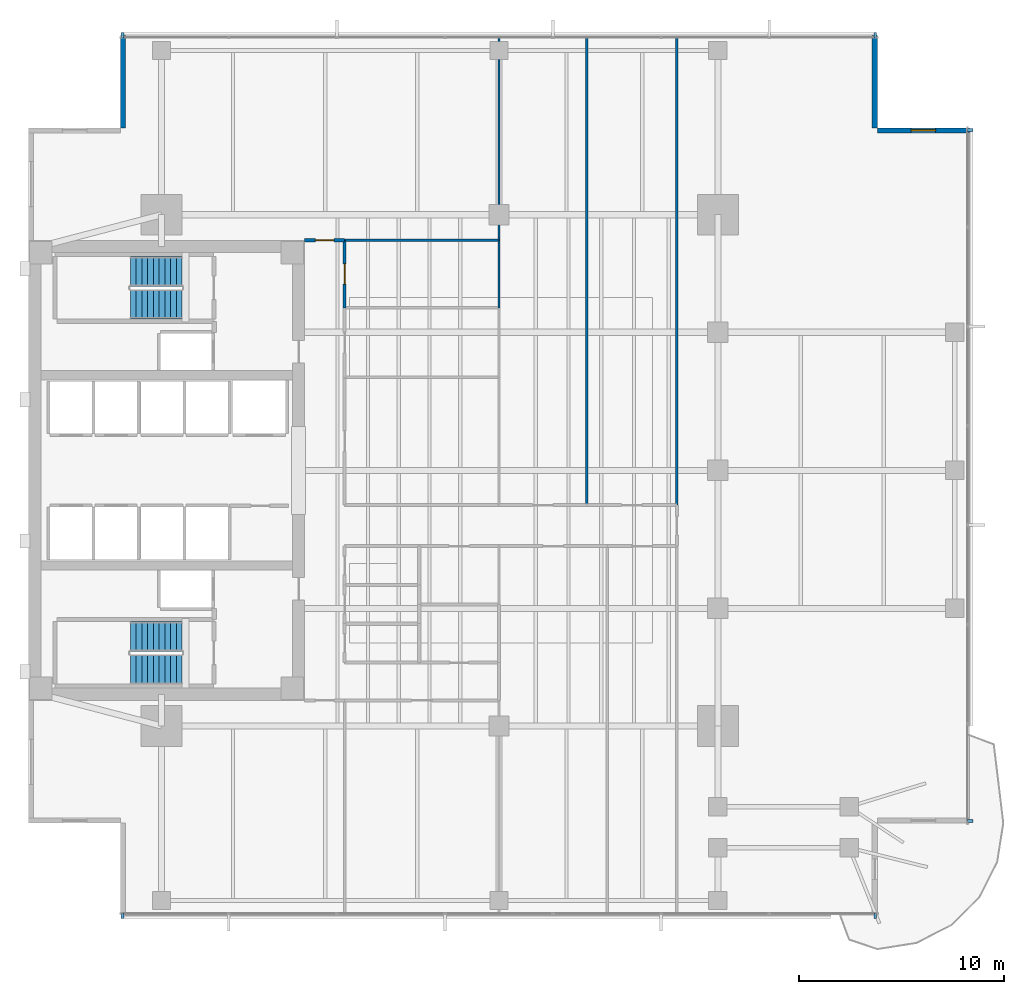
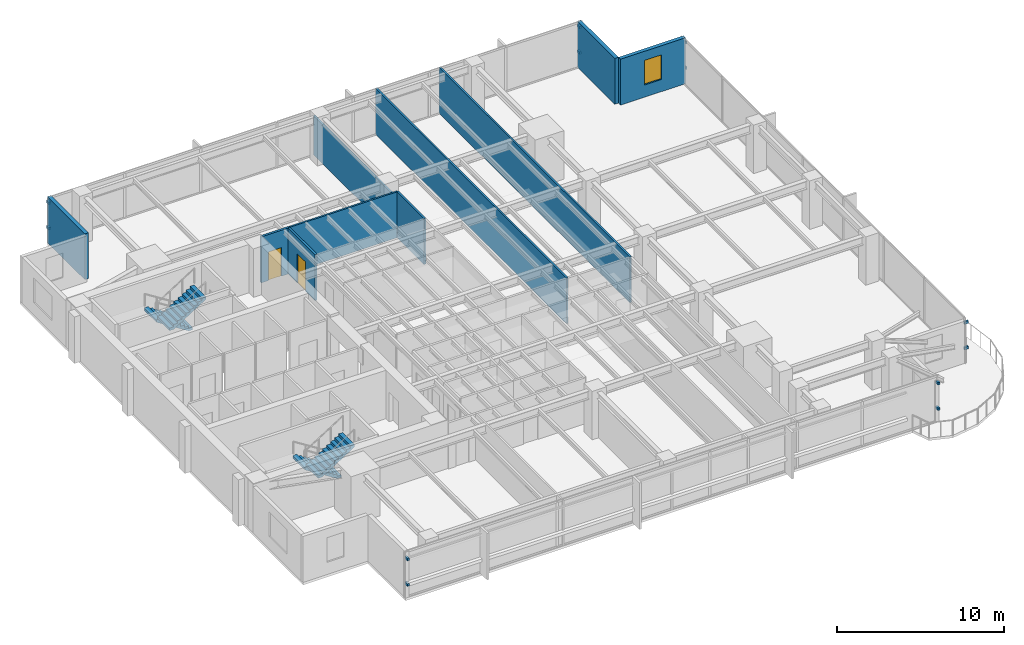
# One storey, part 10 of 14: 12 discrete accessories, 10 walls, 4 stair flights, 2 doors, 1 window, 3 openings, 2 elements without a shape of their own.
"""IFC4 building model written with IfcOpenShell, lengths in metres."""

from ifc_helpers import new_model, si_unit, direction, frame, frame_2d, origin, origin_2d, place, context, subcontext, project, spatial, polyline, rectangle, outline, extrude, material, layer, layer_set, type_object, element, fill, aggregate, save


model = new_model("IFC4")

# Units and contexts
model_context = context("Model", 3, precision=1e-05, world=origin(), true_north=direction((0.0, 1.0)))
body_context = subcontext(model_context, "Body", "Model", "MODEL_VIEW")
ifc_project = project(units=[si_unit("LENGTHUNIT", "METRE"), si_unit("AREAUNIT", "SQUARE_METRE"), si_unit("VOLUMEUNIT", "CUBIC_METRE"), si_unit("PLANEANGLEUNIT", "RADIAN"), si_unit("MASSUNIT", "GRAM", prefix="KILO")], contexts=[model_context])

# Site, building, storey
site_placement = place(None, origin())
site = spatial("IfcSite", under=ifc_project, at=site_placement, CompositionType="ELEMENT")
building_placement = place(site_placement, origin())
building = spatial("IfcBuilding", under=site, at=building_placement, Name="Kinhvarn Gate Tower", CompositionType="ELEMENT")
storey_placement = place(building_placement, frame((0.0, 0.0, 127.10009765625)))
storey = spatial("IfcBuildingStorey", under=building, at=storey_placement, Name="L33", CompositionType="ELEMENT", Elevation=127.10009765625)

# Wall, opening, window
ifc_material_1 = material(Name="Fired architectural terracotta", Category="masonry")
ifc_layer_1 = layer(ifc_material_1, 0.25)
ifc_layer_set_1 = layer_set([ifc_layer_1], Name="Fired architectural terracotta")
wall_type_1 = type_object("IfcWallType", Name="WL-EXT-250", PredefinedType="SOLIDWALL", material=ifc_layer_set_1)
wall_1_placement = place(storey_placement, frame((50.5, 41.875, 0.0), z_axis=(0.0, 0.0, 1.0), x_axis=(-1.0, 0.0, 0.0)))
wall_1 = element("IfcWall", 1, at=wall_1_placement, inside=storey, type_object=wall_type_1, Name="Exterior Solidwall Wall EW-250 (L33 NE-Notch-1)", PredefinedType="SOLIDWALL", context=body_context, shape_type="SweptSolid", body=[
    extrude(rectangle(XDim=4.5, YDim=0.25, at=frame_2d((2.25, 0.0))), origin(), (0.0, 0.0, 1.0), 3.369873046875),
])
opening_1_placement = place(wall_1_placement, frame((1.64990234375, 0.0, 0.89990234375)))
opening_1 = element("IfcOpeningElement", 2, at=opening_1_placement, cuts=wall_1, Name="Opening WN-02", PredefinedType="OPENING", context=body_context, shape_type="SweptSolid", body=[
    extrude(rectangle(XDim=1.199951171875, YDim=1.800048828125, at=frame_2d((0.60009765625, 0.89990234375))), frame((0.0, 0.135009765625, 0.0), z_axis=(0.0, -1.0, 0.0), x_axis=(1.0, 0.0, 0.0)), (0.0, 0.0, 1.0), 0.27001953125),
])
ifc_material_2 = material(Name="Clear low-e double glazing", Category="glass")
window_type = type_object("IfcWindowType", Name="WIN-NTC-1200", PartitioningType="SINGLE_PANEL", PredefinedType="WINDOW", material=ifc_material_2)
window_placement = place(opening_1_placement, origin())
window = element("IfcWindow", 3, at=window_placement, inside=storey, type_object=window_type, Name="Recessed Corner Notch Punched Window 1200x1800 mm (L33)", OverallHeight=1.800048828125, OverallWidth=1.199951171875, PartitioningType="SINGLE_PANEL", PredefinedType="WINDOW", context=body_context, shape_type="SweptSolid", body=[
    extrude(rectangle(XDim=1.199951171875, YDim=1.800048828125, at=frame_2d((0.60009765625, 0.89990234375))), frame((0.0, 0.030029296875, 0.0), z_axis=(0.0, -1.0, 0.0), x_axis=(1.0, 0.0, 0.0)), (0.0, 0.0, 1.0), 0.06005859375),
])
fill(opening_1, window)

# Walls
for number, where, z_axis, x_axis, name in (
    (4, (45.875, 42.0, 0.0), (0.0, 0.0, 1.0), (0.0, 1.0, 0.0), "Exterior Solidwall Wall EW-250 (L33 NE-Notch-2)"),
    (5, (9.125, 46.5, 0.0), (0.0, 0.0, 1.0), (0.0, -1.0, 0.0), "Exterior Solidwall Wall EW-250 (L33 NW-Notch-1)"),
):
    element("IfcWall", number, at=place(storey_placement, frame(where, z_axis=z_axis, x_axis=x_axis)), inside=storey, type_object=wall_type_1, Name=name, PredefinedType="SOLIDWALL", context=body_context, shape_type="SweptSolid", body=[
        extrude(rectangle(XDim=4.5, YDim=0.25, at=frame_2d((2.25, 0.0))), origin(), (0.0, 0.0, 1.0), 3.369873046875),
    ])
ifc_material_3 = material(Name="Gypsum acoustic partition board")
ifc_layer_2 = layer(ifc_material_3, 0.1201171875)
ifc_layer_set_2 = layer_set([ifc_layer_2], Name="Gypsum acoustic partition board")
wall_type_2 = type_object("IfcWallType", Name="WL-PRT-120", PredefinedType="PARTITIONING", material=ifc_layer_set_2)
wall_2_placement = place(storey_placement, frame((19.949951171875, 36.5, 0.0), z_axis=(0.0, 0.0, 1.0), x_axis=(1.0, 0.0, 0.0)))
element("IfcWall", 6, at=wall_2_placement, inside=storey, type_object=wall_type_2, Name="Interior Partition PW-120 (L33)", PredefinedType="PARTITIONING", context=body_context, shape_type="SweptSolid", body=[
    extrude(rectangle(XDim=7.550048828125, YDim=0.1201171875, at=frame_2d((3.77490234375, 0.0))), origin(), (0.0, 0.0, 1.0), 3.369873046875),
])
wall_3_placement = place(storey_placement, frame((27.5, 33.199951171875, 0.0), z_axis=(0.0, 0.0, 1.0), x_axis=(0.0, 1.0, 0.0)))
element("IfcWall", 7, at=wall_3_placement, inside=storey, type_object=wall_type_2, Name="Interior Partition PW-120 (L33)", PredefinedType="PARTITIONING", context=body_context, shape_type="SweptSolid", body=[
    extrude(rectangle(XDim=3.300048828125, YDim=0.1201171875, at=frame_2d((1.64990234375, 0.0))), origin(), (0.0, 0.0, 1.0), 3.369873046875),
])
wall_4_placement = place(storey_placement, frame((27.5, 36.5, 0.0), z_axis=(0.0, 0.0, 1.0), x_axis=(0.0, 1.0, 0.0)))
element("IfcWall", 8, at=wall_4_placement, inside=storey, type_object=wall_type_2, Name="Interior Partition PW-120 (L33)", PredefinedType="PARTITIONING", context=body_context, shape_type="SweptSolid", body=[
    extrude(rectangle(XDim=9.989990234375, YDim=0.1201171875, at=frame_2d((4.9951171875, 0.0))), origin(), (0.0, 0.0, 1.0), 2.869873046875),
])
for number, where, z_axis, x_axis, name in (
    (9, (31.800048828125, 23.550048828125, 0.0), (0.0, 0.0, 1.0), (0.0, 1.0, 0.0), "Interior Partition PW-120 (L33)"),
    (10, (36.199951171875, 23.550048828125, 0.0), (0.0, 0.0, 1.0), (0.0, 1.0, 0.0), "Interior Partition PW-120 (L33)"),
):
    element("IfcWall", number, at=place(storey_placement, frame(where, z_axis=z_axis, x_axis=x_axis)), inside=storey, type_object=wall_type_2, Name=name, PredefinedType="PARTITIONING", context=body_context, shape_type="SweptSolid", body=[
        extrude(rectangle(XDim=22.93994140625, YDim=0.1201171875, at=frame_2d((11.469970703125, 0.0))), origin(), (0.0, 0.0, 1.0), 3.369873046875),
    ])

# Wall, opening, door
ifc_layer_3 = layer(ifc_material_3, 0.14990234375)
ifc_layer_set_3 = layer_set([ifc_layer_3], Name="Gypsum acoustic partition board")
wall_type_3 = type_object("IfcWallType", Name="WL-PRT-150F", PredefinedType="PARTITIONING", material=ifc_layer_set_3)
wall_5_placement = place(storey_placement, frame((19.949951171875, 33.199951171875, 0.0), z_axis=(0.0, 0.0, 1.0), x_axis=(0.0, 1.0, 0.0)))
wall_5 = element("IfcWall", 11, at=wall_5_placement, inside=storey, type_object=wall_type_3, Name="Interior Partition PW-150F (L33)", PredefinedType="PARTITIONING", context=body_context, shape_type="SweptSolid", body=[
    extrude(rectangle(XDim=3.300048828125, YDim=0.14990234375, at=frame_2d((1.64990234375, 0.0))), origin(), (0.0, 0.0, 1.0), 3.369873046875),
])
opening_2_placement = place(wall_5_placement, frame((1.14990234375, 0.0, 0.0)))
opening_2 = element("IfcOpeningElement", 12, at=opening_2_placement, cuts=wall_5, Name="Opening ID-02", PredefinedType="OPENING", context=body_context, shape_type="SweptSolid", body=[
    extrude(rectangle(XDim=1.0, YDim=2.14990234375, at=frame_2d((0.5, 1.074951171875))), frame((0.0, 0.0849609375, 0.0), z_axis=(0.0, -1.0, 0.0), x_axis=(1.0, 0.0, 0.0)), (0.0, 0.0, 1.0), 0.169921875),
])
ifc_material_4 = material(Name="Anodised aluminium AW-6063", Category="aluminium")
door_type_1 = type_object("IfcDoorType", Name="DR-INT-1000", OperationType="NOTDEFINED", PredefinedType="DOOR", material=ifc_material_4)
door_1_placement = place(opening_2_placement, origin())
door_1 = element("IfcDoor", 13, at=door_1_placement, inside=storey, type_object=door_type_1, Name="Standard Office & Meeting Room Door 1000x2150 mm (L33)", OperationType="SINGLE_SWING_LEFT", OverallHeight=2.14990234375, OverallWidth=1.0, PredefinedType="DOOR", context=body_context, shape_type="SweptSolid", body=[
    extrude(rectangle(XDim=1.0, YDim=2.14990234375, at=frame_2d((0.5, 1.074951171875))), frame((0.0, 0.02490234375, 0.0), z_axis=(0.0, -1.0, 0.0), x_axis=(1.0, 0.0, 0.0)), (0.0, 0.0, 1.0), 0.050048828125),
])
fill(opening_2, door_1)

wall_6_placement = place(storey_placement, frame((18.0, 36.5, 0.0), z_axis=(0.0, 0.0, 1.0), x_axis=(1.0, 0.0, 0.0)))
wall_6 = element("IfcWall", 14, at=wall_6_placement, inside=storey, type_object=wall_type_3, Name="Interior Partition PW-150F (L33)", PredefinedType="PARTITIONING", context=body_context, shape_type="SweptSolid", body=[
    extrude(rectangle(XDim=1.949951171875, YDim=0.14990234375, at=frame_2d((0.97509765625, 0.0))), origin(), (0.0, 0.0, 1.0), 3.369873046875),
])
opening_3_placement = place(wall_6_placement, frame((0.52490234375, 0.0, 0.0)))
opening_3 = element("IfcOpeningElement", 15, at=opening_3_placement, cuts=wall_6, Name="Opening ID-03", PredefinedType="OPENING", context=body_context, shape_type="SweptSolid", body=[
    extrude(rectangle(XDim=0.89990234375, YDim=2.10009765625, at=frame_2d((0.449951171875, 1.050048828125))), frame((0.0, 0.0849609375, 0.0), z_axis=(0.0, -1.0, 0.0), x_axis=(1.0, 0.0, 0.0)), (0.0, 0.0, 1.0), 0.169921875),
])
door_type_2 = type_object("IfcDoorType", Name="DR-INT-900", OperationType="NOTDEFINED", PredefinedType="DOOR", material=ifc_material_4)
door_2_placement = place(opening_3_placement, origin())
door_2 = element("IfcDoor", 16, at=door_2_placement, inside=storey, type_object=door_type_2, Name="Cellular Office & Restroom Door 900x2100 mm (L33)", OperationType="SINGLE_SWING_LEFT", OverallHeight=2.10009765625, OverallWidth=0.89990234375, PredefinedType="DOOR", context=body_context, shape_type="SweptSolid", body=[
    extrude(rectangle(XDim=0.89990234375, YDim=2.10009765625, at=frame_2d((0.449951171875, 1.050048828125))), frame((0.0, 0.02490234375, 0.0), z_axis=(0.0, -1.0, 0.0), x_axis=(1.0, 0.0, 0.0)), (0.0, 0.0, 1.0), 0.050048828125),
])
fill(opening_3, door_2)

# Stair, stair flights
ifc_material_5 = material(Name="Concrete C40/50", Category="concrete")
stair_type = type_object("IfcStairType", Name="STR-DLG-178", PredefinedType="HALF_TURN_STAIR", material=ifc_material_5)
stair_1_placement = place(storey_placement, origin())
stair_1 = element("IfcStair", 17, at=stair_1_placement, inside=storey, type_object=stair_type, Name="L33 Core Smokeproof Exit Stair ST1", PredefinedType="HALF_TURN_STAIR")
stair_flight_type = type_object("IfcStairFlightType", Name="STF-DLG-178", PredefinedType="STRAIGHT", material=ifc_material_5)
stair_flight_1_placement = place(storey_placement, frame((12.0, 17.125, 0.0), z_axis=(0.0, 0.0, 1.0), x_axis=(-1.0, 0.0, 0.0)))
stair_flight_1 = element("IfcStairFlight", 18, at=stair_flight_1_placement, type_object=stair_flight_type, Name="ST1 flight 1", NumberOfRisers=10, NumberOfTreads=9, PredefinedType="STRAIGHT", RiserHeight=0.1775, TreadLength=0.28, context=body_context, shape_type="SweptSolid", body=[
    extrude(outline(polyline([(0.0, 0.0), (0.0, 0.177490234375), (0.280029296875, 0.177490234375), (0.280029296875, 0.35498046875), (0.56005859375, 0.35498046875), (0.56005859375, 0.532470703125), (0.840087890625, 0.532470703125), (0.840087890625, 0.7099609375), (1.1201171875, 0.7099609375), (1.1201171875, 0.887451171875), (1.39990234375, 0.887451171875), (1.39990234375, 1.06494140625), (1.679931640625, 1.06494140625), (1.679931640625, 1.242431640625), (1.9599609375, 1.242431640625), (1.9599609375, 1.419921875), (2.239990234375, 1.419921875), (2.239990234375, 1.597412109375), (2.52001953125, 1.597412109375), (2.52001953125, 1.77490234375), (2.52001953125, 1.419921875), (0.280029296875, 0.0), (0.0, 0.0)])), frame((0.0, 0.72509765625, 0.0), z_axis=(0.0, -1.0, 0.0), x_axis=(1.0, 0.0, 0.0)), (0.0, 0.0, 1.0), 1.449951171875),
])
stair_flight_2_placement = place(storey_placement, frame((9.47998046875, 15.52490234375, 1.77490234375), z_axis=(0.0, 0.0, 1.0), x_axis=(1.0, 0.0, 0.0)))
stair_flight_2 = element("IfcStairFlight", 19, at=stair_flight_2_placement, type_object=stair_flight_type, Name="ST1 flight 2", NumberOfRisers=10, NumberOfTreads=9, PredefinedType="STRAIGHT", RiserHeight=0.1775, TreadLength=0.28, context=body_context, shape_type="SweptSolid", body=[
    extrude(outline(polyline([(0.0, 0.0), (0.0, 0.177490234375), (0.280029296875, 0.177490234375), (0.280029296875, 0.35498046875), (0.56005859375, 0.35498046875), (0.56005859375, 0.532470703125), (0.840087890625, 0.532470703125), (0.840087890625, 0.7099609375), (1.1201171875, 0.7099609375), (1.1201171875, 0.887451171875), (1.39990234375, 0.887451171875), (1.39990234375, 1.06494140625), (1.679931640625, 1.06494140625), (1.679931640625, 1.242431640625), (1.9599609375, 1.242431640625), (1.9599609375, 1.419921875), (2.239990234375, 1.419921875), (2.239990234375, 1.597412109375), (2.52001953125, 1.597412109375), (2.52001953125, 1.77490234375), (2.52001953125, 1.419921875), (0.280029296875, 0.0), (0.0, 0.0)])), frame((0.0, 0.72509765625, 0.0), z_axis=(0.0, -1.0, 0.0), x_axis=(1.0, 0.0, 0.0)), (0.0, 0.0, 1.0), 1.449951171875),
])
aggregate(stair_1, [stair_flight_1, stair_flight_2])

stair_2_placement = place(storey_placement, origin())
stair_2 = element("IfcStair", 20, at=stair_2_placement, inside=storey, type_object=stair_type, Name="L33 Core Smokeproof Exit Stair ST2", PredefinedType="HALF_TURN_STAIR")
stair_flight_3_placement = place(storey_placement, frame((12.0, 34.97509765625, 0.0), z_axis=(0.0, 0.0, 1.0), x_axis=(-1.0, 0.0, 0.0)))
stair_flight_3 = element("IfcStairFlight", 21, at=stair_flight_3_placement, type_object=stair_flight_type, Name="ST2 flight 1", NumberOfRisers=10, NumberOfTreads=9, PredefinedType="STRAIGHT", RiserHeight=0.1775, TreadLength=0.28, context=body_context, shape_type="SweptSolid", body=[
    extrude(outline(polyline([(0.0, 0.0), (0.0, 0.177490234375), (0.280029296875, 0.177490234375), (0.280029296875, 0.35498046875), (0.56005859375, 0.35498046875), (0.56005859375, 0.532470703125), (0.840087890625, 0.532470703125), (0.840087890625, 0.7099609375), (1.1201171875, 0.7099609375), (1.1201171875, 0.887451171875), (1.39990234375, 0.887451171875), (1.39990234375, 1.06494140625), (1.679931640625, 1.06494140625), (1.679931640625, 1.242431640625), (1.9599609375, 1.242431640625), (1.9599609375, 1.419921875), (2.239990234375, 1.419921875), (2.239990234375, 1.597412109375), (2.52001953125, 1.597412109375), (2.52001953125, 1.77490234375), (2.52001953125, 1.419921875), (0.280029296875, 0.0), (0.0, 0.0)])), frame((0.0, 0.72509765625, 0.0), z_axis=(0.0, -1.0, 0.0), x_axis=(1.0, 0.0, 0.0)), (0.0, 0.0, 1.0), 1.449951171875),
])
stair_flight_4_placement = place(storey_placement, frame((9.47998046875, 33.375, 1.77490234375), z_axis=(0.0, 0.0, 1.0), x_axis=(1.0, 0.0, 0.0)))
stair_flight_4 = element("IfcStairFlight", 22, at=stair_flight_4_placement, type_object=stair_flight_type, Name="ST2 flight 2", NumberOfRisers=10, NumberOfTreads=9, PredefinedType="STRAIGHT", RiserHeight=0.1775, TreadLength=0.28, context=body_context, shape_type="SweptSolid", body=[
    extrude(outline(polyline([(0.0, 0.0), (0.0, 0.177490234375), (0.280029296875, 0.177490234375), (0.280029296875, 0.35498046875), (0.56005859375, 0.35498046875), (0.56005859375, 0.532470703125), (0.840087890625, 0.532470703125), (0.840087890625, 0.7099609375), (1.1201171875, 0.7099609375), (1.1201171875, 0.887451171875), (1.39990234375, 0.887451171875), (1.39990234375, 1.06494140625), (1.679931640625, 1.06494140625), (1.679931640625, 1.242431640625), (1.9599609375, 1.242431640625), (1.9599609375, 1.419921875), (2.239990234375, 1.419921875), (2.239990234375, 1.597412109375), (2.52001953125, 1.597412109375), (2.52001953125, 1.77490234375), (2.52001953125, 1.419921875), (0.280029296875, 0.0), (0.0, 0.0)])), frame((0.0, 0.72509765625, 0.0), z_axis=(0.0, -1.0, 0.0), x_axis=(1.0, 0.0, 0.0)), (0.0, 0.0, 1.0), 1.449951171875),
])
aggregate(stair_2, [stair_flight_3, stair_flight_4])

# Discrete accessories
discrete_accessory_type = type_object("IfcDiscreteAccessoryType", Name="ACC-BRK-01", PredefinedType="BRACKET", material=ifc_material_4)
for number, where, z_axis, x_axis, name in (
    (23, (9.10009765625, 3.469970703125, 0.9599609375), (0.0, 0.0, 1.0), (1.0, 0.0, 0.0), "Baguette Support Bracket BK-01 (L33)"),
    (24, (9.10009765625, 3.469970703125, 2.830078125), (0.0, 0.0, 1.0), (1.0, 0.0, 0.0), "Baguette Support Bracket BK-01 (L33)"),
    (25, (45.89990234375, 3.469970703125, 0.9599609375), (0.0, 0.0, 1.0), (1.0, 0.0, 0.0), "Baguette Support Bracket BK-01 (L33)"),
    (26, (45.89990234375, 3.469970703125, 2.830078125), (0.0, 0.0, 1.0), (1.0, 0.0, 0.0), "Baguette Support Bracket BK-01 (L33)"),
    (27, (45.89990234375, 46.530029296875, 0.9599609375), (0.0, 0.0, 1.0), (-1.0, 0.0, 0.0), "Baguette Support Bracket BK-01 (L33)"),
    (28, (45.89990234375, 46.530029296875, 2.830078125), (0.0, 0.0, 1.0), (-1.0, 0.0, 0.0), "Baguette Support Bracket BK-01 (L33)"),
    (29, (9.10009765625, 46.530029296875, 0.9599609375), (0.0, 0.0, 1.0), (-1.0, 0.0, 0.0), "Baguette Support Bracket BK-01 (L33)"),
    (30, (9.10009765625, 46.530029296875, 2.830078125), (0.0, 0.0, 1.0), (-1.0, 0.0, 0.0), "Baguette Support Bracket BK-01 (L33)"),
    (31, (50.530029296875, 8.10009765625, 0.9599609375), (0.0, 0.0, 1.0), (0.0, 1.0, 0.0), "Baguette Support Bracket BK-01 (L33)"),
    (32, (50.530029296875, 8.10009765625, 2.830078125), (0.0, 0.0, 1.0), (0.0, 1.0, 0.0), "Baguette Support Bracket BK-01 (L33)"),
    (33, (50.530029296875, 41.89990234375, 0.9599609375), (0.0, 0.0, 1.0), (0.0, 1.0, 0.0), "Baguette Support Bracket BK-01 (L33)"),
    (34, (50.530029296875, 41.89990234375, 2.830078125), (0.0, 0.0, 1.0), (0.0, 1.0, 0.0), "Baguette Support Bracket BK-01 (L33)"),
):
    element("IfcDiscreteAccessory", number, at=place(storey_placement, frame(where, z_axis=z_axis, x_axis=x_axis)), inside=storey, type_object=discrete_accessory_type, Name=name, PredefinedType="BRACKET", context=body_context, shape_type="SweptSolid", body=[
        extrude(rectangle(XDim=0.139892578125, YDim=0.280029296875, at=origin_2d()), origin(), (0.0, 0.0, 1.0), 0.179931640625),
    ])

save(model, "model.ifc")
